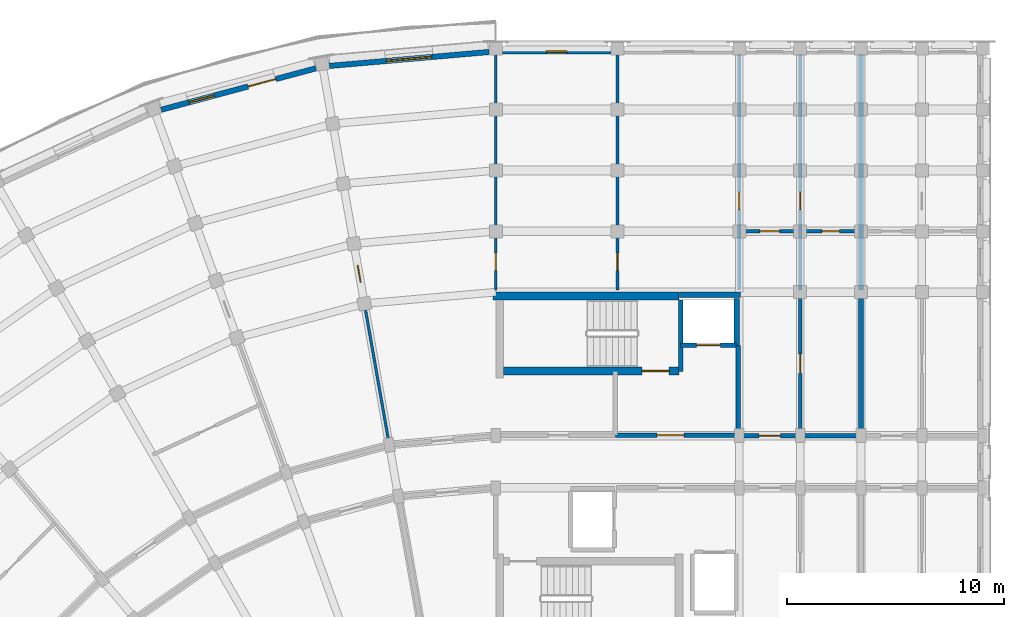
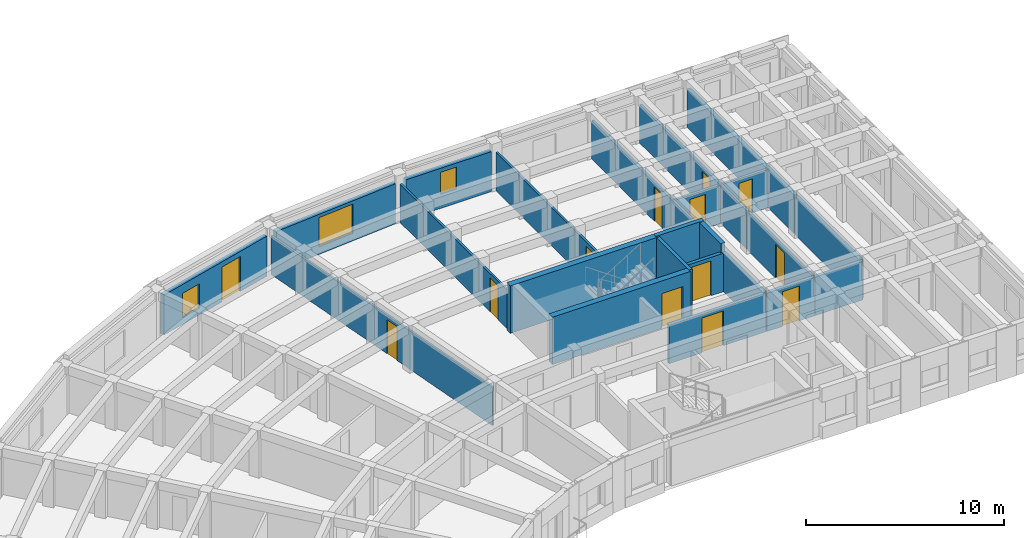
# One storey, part 19 of 41: 23 walls, 13 doors, 3 windows, 16 openings.
"""IFC4 building model written with IfcOpenShell, lengths in metres."""

from ifc_helpers import new_model, si_unit, direction, frame, frame_2d, origin, place, context, subcontext, project, spatial, rectangle, extrude, material, layer, layer_set, type_object, element, fill, save


model = new_model("IFC4")

# Units and contexts
model_context = context("Model", 3, precision=1e-05, world=origin(), true_north=direction((0.0, 1.0)))
body_context = subcontext(model_context, "Body", "Model", "MODEL_VIEW")
ifc_project = project(units=[si_unit("LENGTHUNIT", "METRE"), si_unit("AREAUNIT", "SQUARE_METRE"), si_unit("VOLUMEUNIT", "CUBIC_METRE"), si_unit("PLANEANGLEUNIT", "RADIAN"), si_unit("MASSUNIT", "GRAM", prefix="KILO")], contexts=[model_context])

# Site, building, storey
site_placement = place(None, origin())
site = spatial("IfcSite", under=ifc_project, at=site_placement, CompositionType="ELEMENT")
building_placement = place(site_placement, origin())
building = spatial("IfcBuilding", under=site, at=building_placement, Name="Kiranvali Square Residences", CompositionType="ELEMENT")
storey_placement = place(building_placement, frame((0.0, 0.0, 33.89990234375)))
storey = spatial("IfcBuildingStorey", under=building, at=storey_placement, Name="L10", CompositionType="ELEMENT", Elevation=33.89990234375)

# Wall, opening, door
ifc_material_1 = material(Name="Autoclaved aerated concrete blockwork masonry", Category="masonry")
ifc_layer_1 = layer(ifc_material_1, 0.199951171875)
ifc_layer_set_1 = layer_set([ifc_layer_1], Name="Autoclaved aerated concrete blockwork masonry")
wall_type_1 = type_object("IfcWallType", Name="WL-COR-200", PredefinedType="STANDARD", material=ifc_layer_set_1)
wall_1_placement = place(storey_placement, frame((59.39990234375, 116.0, 0.0), z_axis=(0.0, 0.0, 1.0), x_axis=(1.0, 0.0, 0.0)))
wall_1 = element("IfcWall", 1, at=wall_1_placement, inside=storey, type_object=wall_type_1, Name="L10 architectural wall WL-L10-A-A1CO-0", PredefinedType="STANDARD", context=body_context, shape_type="SweptSolid", body=[
    extrude(rectangle(XDim=2.800048828125, YDim=0.199951171875, at=frame_2d((1.39990234375, 0.0))), origin(), (0.0, 0.0, 1.0), 2.3720703125),
])
opening_1_placement = place(wall_1_placement, frame((0.89990234375, 0.0, 0.0)))
opening_1 = element("IfcOpeningElement", 2, at=opening_1_placement, cuts=wall_1, Name="Opening FD-APT-60", PredefinedType="OPENING", context=body_context, shape_type="SweptSolid", body=[
    extrude(rectangle(XDim=1.0, YDim=2.14990234375, at=frame_2d((0.5, 1.074951171875))), frame((0.0, 0.10986328125, 0.0), z_axis=(0.0, -1.0, 0.0), x_axis=(1.0, 0.0, 0.0)), (0.0, 0.0, 1.0), 0.219970703125),
])
ifc_material_2 = material(Name="Fire-rated acoustic hardwood and mineral-core door assembly", Category="wood")
door_type_1 = type_object("IfcDoorType", Name="DR-APT-1000", OperationType="NOTDEFINED", PredefinedType="DOOR", material=ifc_material_2)
door_1_placement = place(opening_1_placement, frame((1.0, 0.0, 0.0), z_axis=(0.0, 0.0, 1.0), x_axis=(-1.0, 0.0, 0.0)))
door_1 = element("IfcDoor", 3, at=door_1_placement, inside=storey, type_object=door_type_1, Name="L10 door DR-L10-0640 (DR-APT-1000)", OperationType="SINGLE_SWING_RIGHT", OverallHeight=2.14990234375, OverallWidth=1.0, PredefinedType="DOOR", context=body_context, shape_type="SweptSolid", body=[
    extrude(rectangle(XDim=1.0, YDim=2.14990234375, at=frame_2d((0.5, 1.074951171875))), frame((0.0, 0.02490234375, 0.0), z_axis=(0.0, -1.0, 0.0), x_axis=(1.0, 0.0, 0.0)), (0.0, 0.0, 1.0), 0.050048828125),
])
fill(opening_1, door_1)

# Walls
wall_2_placement = place(storey_placement, frame((62.199951171875, 116.0, 0.0), z_axis=(0.0, 0.0, 1.0), x_axis=(1.0, 0.0, 0.0)))
element("IfcWall", 4, at=wall_2_placement, inside=storey, type_object=wall_type_1, Name="L10 architectural wall WL-L10-A-A1CO-1", PredefinedType="STANDARD", context=body_context, shape_type="SweptSolid", body=[
    extrude(rectangle(XDim=2.800048828125, YDim=0.199951171875, at=frame_2d((1.39990234375, 0.0))), origin(), (0.0, 0.0, 1.0), 2.3720703125),
])
ifc_layer_2 = layer(ifc_material_1, 0.219970703125)
ifc_layer_set_2 = layer_set([ifc_layer_2], Name="Autoclaved aerated concrete blockwork masonry")
wall_type_2 = type_object("IfcWallType", Name="WL-DEM-220", PredefinedType="STANDARD", material=ifc_layer_set_2)
wall_3_placement = place(storey_placement, frame((65.0, 116.050048828125, 0.0), z_axis=(0.0, 0.0, 1.0), x_axis=(0.0, 1.0, 0.0)))
element("IfcWall", 5, at=wall_3_placement, inside=storey, type_object=wall_type_2, Name="L10 architectural wall WL-L10-A-A1TO1-2", PredefinedType="STANDARD", context=body_context, shape_type="SweptSolid", body=[
    extrude(rectangle(XDim=6.530029296875, YDim=0.219970703125, at=frame_2d((3.26513671875, 0.0))), origin(), (0.0, 0.0, 1.0), 2.3720703125),
])
wall_4_placement = place(storey_placement, frame((65.0, 122.699951171875, 0.0), z_axis=(0.0, 0.0, 1.0), x_axis=(0.0, 1.0, 0.0)))
element("IfcWall", 6, at=wall_4_placement, inside=storey, type_object=wall_type_2, Name="L10 architectural wall WL-L10-A-A1TO2-2", PredefinedType="STANDARD", context=body_context, shape_type="SweptSolid", body=[
    extrude(rectangle(XDim=10.820068359375, YDim=0.219970703125, at=frame_2d((5.41015625, 0.0))), origin(), (0.0, 0.0, 1.0), 2.3720703125),
])

# Wall, opening, window
ifc_material_3 = material(Name="Breathable lime-rendered clay brick masonry", Category="masonry")
ifc_layer_3 = layer(ifc_material_3, 0.25)
ifc_layer_set_3 = layer_set([ifc_layer_3], Name="Breathable lime-rendered clay brick masonry")
wall_type_3 = type_object("IfcWallType", Name="WL-EXT-250", PredefinedType="STANDARD", material=ifc_layer_set_3)
wall_5_placement = place(storey_placement, frame((47.886474609375, 133.64697265625, 0.0), z_axis=(0.0, 0.0, 1.0), x_axis=(-0.996197565379, -0.087122963287, 0.0)))
wall_5 = element("IfcWall", 7, at=wall_5_placement, inside=storey, type_object=wall_type_3, Name="L10 exterior wall A-L10-CRV-00", PredefinedType="STANDARD", context=body_context, shape_type="SweptSolid", body=[
    extrude(rectangle(XDim=7.3671875, YDim=0.25, at=frame_2d((3.68359375, 0.0))), origin(), (0.0, 0.0, 1.0), 2.47216796875),
])
opening_2_placement = place(wall_5_placement, frame((2.633544921875, 0.0, 0.471923828125)))
opening_2 = element("IfcOpeningElement", 8, at=opening_2_placement, cuts=wall_5, Name="Opening W-03", PredefinedType="OPENING", context=body_context, shape_type="SweptSolid", body=[
    extrude(rectangle(XDim=2.10009765625, YDim=1.800048828125, at=frame_2d((1.050048828125, 0.89990234375))), frame((0.0, 0.135009765625, 0.0), z_axis=(0.0, -1.0, 0.0), x_axis=(1.0, 0.0, 0.0)), (0.0, 0.0, 1.0), 0.27001953125),
])
ifc_material_4 = material(Name="Solar-control low-e double glazing", Category="glass")
window_type_1 = type_object("IfcWindowType", Name="WIN-RES-2100x1800", PartitioningType="TRIPLE_PANEL_VERTICAL", PredefinedType="WINDOW", material=ifc_material_4)
window_1_placement = place(opening_2_placement, origin())
window_1 = element("IfcWindow", 9, at=window_1_placement, inside=storey, type_object=window_type_1, Name="L10 recessed window A-L10-CRV-00", OverallHeight=1.800048828125, OverallWidth=2.10009765625, PartitioningType="TRIPLE_PANEL_VERTICAL", PredefinedType="WINDOW", context=body_context, shape_type="SweptSolid", body=[
    extrude(rectangle(XDim=2.10009765625, YDim=1.800048828125, at=frame_2d((1.050048828125, 0.89990234375))), frame((0.0, 0.030029296875, 0.0), z_axis=(0.0, -1.0, 0.0), x_axis=(1.0, 0.0, 0.0)), (0.0, 0.0, 1.0), 0.06005859375),
])
fill(opening_2, window_1)

# Wall, openings, door, window
wall_6_placement = place(storey_placement, frame((39.929931640625, 132.896240234375, 0.0), z_axis=(0.0, 0.0, 1.0), x_axis=(-0.965925122991, -0.258821669831, 0.0)))
wall_6 = element("IfcWall", 10, at=wall_6_placement, inside=storey, type_object=wall_type_3, Name="L10 exterior wall A-L10-CRV-01", PredefinedType="STANDARD", context=body_context, shape_type="SweptSolid", body=[
    extrude(rectangle(XDim=7.366943359375, YDim=0.25, at=frame_2d((3.68359375, 0.0))), origin(), (0.0, 0.0, 1.0), 2.47216796875),
])
opening_3_placement = place(wall_6_placement, frame((4.83984375, 0.0, 0.422119140625)))
opening_3 = element("IfcOpeningElement", 11, at=opening_3_placement, cuts=wall_6, Name="Opening W-06", PredefinedType="OPENING", context=body_context, shape_type="SweptSolid", body=[
    extrude(rectangle(XDim=1.199951171875, YDim=1.5, at=frame_2d((0.60009765625, 0.75))), frame((0.0, 0.135009765625, 0.0), z_axis=(0.0, -1.0, 0.0), x_axis=(1.0, 0.0, 0.0)), (0.0, 0.0, 1.0), 0.27001953125),
])
opening_4_placement = place(wall_6_placement, frame((1.91845703125, 0.0, 0.0)))
opening_4 = element("IfcOpeningElement", 12, at=opening_4_placement, cuts=wall_6, Name="Opening ED-BAL-3", PredefinedType="OPENING", context=body_context, shape_type="SweptSolid", body=[
    extrude(rectangle(XDim=1.320068359375, YDim=2.14990234375, at=frame_2d((0.66015625, 1.074951171875))), frame((0.0, 0.135009765625, 0.0), z_axis=(0.0, -1.0, 0.0), x_axis=(1.0, 0.0, 0.0)), (0.0, 0.0, 1.0), 0.27001953125),
])
ifc_material_5 = material(Name="Anodised bronze aluminium framing", Category="aluminium")
door_type_2 = type_object("IfcDoorType", Name="DR-BAL-1320", OperationType="NOTDEFINED", PredefinedType="DOOR", material=ifc_material_5)
door_2_placement = place(opening_4_placement, frame((1.320068359375, 0.0, 0.0), z_axis=(0.0, 0.0, 1.0), x_axis=(-1.0, 0.0, 0.0)))
door_2 = element("IfcDoor", 13, at=door_2_placement, inside=storey, type_object=door_type_2, Name="L10 balcony terrace door", OperationType="SINGLE_SWING_RIGHT", OverallHeight=2.14990234375, OverallWidth=1.320068359375, PredefinedType="DOOR", context=body_context, shape_type="SweptSolid", body=[
    extrude(rectangle(XDim=1.320068359375, YDim=2.14990234375, at=frame_2d((0.66015625, 1.074951171875))), frame((0.0, 0.02490234375, 0.0), z_axis=(0.0, -1.0, 0.0), x_axis=(1.0, 0.0, 0.0)), (0.0, 0.0, 1.0), 0.050048828125),
])
fill(opening_4, door_2)
window_type_2 = type_object("IfcWindowType", Name="WIN-RES-1200x1500", PartitioningType="SINGLE_PANEL", PredefinedType="WINDOW", material=ifc_material_4)
window_2_placement = place(opening_3_placement, origin())
window_2 = element("IfcWindow", 14, at=window_2_placement, inside=storey, type_object=window_type_2, Name="L10 recessed window A-L10-CRV-01", OverallHeight=1.5, OverallWidth=1.199951171875, PartitioningType="SINGLE_PANEL", PredefinedType="WINDOW", context=body_context, shape_type="SweptSolid", body=[
    extrude(rectangle(XDim=1.199951171875, YDim=1.5, at=frame_2d((0.60009765625, 0.75))), frame((0.0, 0.030029296875, 0.0), z_axis=(0.0, -1.0, 0.0), x_axis=(1.0, 0.0, 0.0)), (0.0, 0.0, 1.0), 0.06005859375),
])
fill(opening_3, window_2)

# Wall, opening, window
wall_7_placement = place(storey_placement, frame((48.50341796875, 133.675048828125, 0.0), z_axis=(0.0, 0.0, 1.0), x_axis=(1.0, 0.0, 0.0)))
wall_7 = element("IfcWall", 15, at=wall_7_placement, inside=storey, type_object=wall_type_3, Name="L10 exterior wall A-L10-A1O-0", PredefinedType="STANDARD", context=body_context, shape_type="SweptSolid", body=[
    extrude(rectangle(XDim=4.9931640625, YDim=0.25, at=frame_2d((2.49658203125, 0.0))), origin(), (0.0, 0.0, 1.0), 2.47216796875),
])
opening_5_placement = place(wall_7_placement, frame((2.021484375, 0.0, 0.8798828125)))
opening_5 = element("IfcOpeningElement", 16, at=opening_5_placement, cuts=wall_7, Name="Opening W-16", PredefinedType="OPENING", context=body_context, shape_type="SweptSolid", body=[
    extrude(rectangle(XDim=0.949951171875, YDim=1.35009765625, at=frame_2d((0.47509765625, 0.675048828125))), frame((0.0, 0.135009765625, 0.0), z_axis=(0.0, -1.0, 0.0), x_axis=(1.0, 0.0, 0.0)), (0.0, 0.0, 1.0), 0.27001953125),
])
window_type_3 = type_object("IfcWindowType", Name="WIN-RES-950x1350", PartitioningType="SINGLE_PANEL", PredefinedType="WINDOW", material=ifc_material_4)
window_3_placement = place(opening_5_placement, origin())
window_3 = element("IfcWindow", 17, at=window_3_placement, inside=storey, type_object=window_type_3, Name="L10 recessed window A-L10-A1O-0", OverallHeight=1.35009765625, OverallWidth=0.949951171875, PartitioningType="SINGLE_PANEL", PredefinedType="WINDOW", context=body_context, shape_type="SweptSolid", body=[
    extrude(rectangle(XDim=0.949951171875, YDim=1.35009765625, at=frame_2d((0.47509765625, 0.675048828125))), frame((0.0, 0.030029296875, 0.0), z_axis=(0.0, -1.0, 0.0), x_axis=(1.0, 0.0, 0.0)), (0.0, 0.0, 1.0), 0.06005859375),
])
fill(opening_5, window_3)

# Wall, opening, door
ifc_layer_4 = layer(ifc_material_1, 0.199951171875)
ifc_layer_set_4 = layer_set([ifc_layer_4], Name="Autoclaved aerated concrete blockwork masonry")
wall_type_4 = type_object("IfcWallType", Name="WL-FFL-200", PredefinedType="STANDARD", material=ifc_layer_set_4)
wall_8_placement = place(storey_placement, frame((53.699951171875, 116.02001953125, 0.0), z_axis=(0.0, 0.0, 1.0), x_axis=(1.0, 0.0, 0.0)))
wall_8 = element("IfcWall", 18, at=wall_8_placement, inside=storey, type_object=wall_type_4, Name="L10 architectural wall WL-L10-A-FF-COR", PredefinedType="STANDARD", context=body_context, shape_type="SweptSolid", body=[
    extrude(rectangle(XDim=5.650146484375, YDim=0.199951171875, at=frame_2d((2.8251953125, 0.0))), origin(), (0.0, 0.0, 1.0), 2.3720703125),
])
opening_6_placement = place(wall_8_placement, frame((1.922607421875, 0.0, 0.0)))
opening_6 = element("IfcOpeningElement", 19, at=opening_6_placement, cuts=wall_8, Name="Opening FD-ST-120", PredefinedType="OPENING", context=body_context, shape_type="SweptSolid", body=[
    extrude(rectangle(XDim=1.239990234375, YDim=2.14990234375, at=frame_2d((0.6201171875, 1.074951171875))), frame((0.0, 0.10986328125, 0.0), z_axis=(0.0, -1.0, 0.0), x_axis=(1.0, 0.0, 0.0)), (0.0, 0.0, 1.0), 0.219970703125),
])
door_type_3 = type_object("IfcDoorType", Name="DR-FD120-1200", OperationType="NOTDEFINED", PredefinedType="DOOR", material=ifc_material_2)
door_3_placement = place(opening_6_placement, frame((1.239990234375, 0.0, 0.0), z_axis=(0.0, 0.0, 1.0), x_axis=(-1.0, 0.0, 0.0)))
door_3 = element("IfcDoor", 20, at=door_3_placement, inside=storey, type_object=door_type_3, Name="L10 door DR-L10-0626 (DR-FD120-1200)", OperationType="SINGLE_SWING_RIGHT", OverallHeight=2.14990234375, OverallWidth=1.239990234375, PredefinedType="DOOR", context=body_context, shape_type="SweptSolid", body=[
    extrude(rectangle(XDim=1.239990234375, YDim=2.14990234375, at=frame_2d((0.6201171875, 1.074951171875))), frame((0.0, 0.02490234375, 0.0), z_axis=(0.0, -1.0, 0.0), x_axis=(1.0, 0.0, 0.0)), (0.0, 0.0, 1.0), 0.050048828125),
])
fill(opening_6, door_3)

# Wall
wall_9_placement = place(storey_placement, frame((59.35009765625, 116.02001953125, 0.0), z_axis=(0.0, 0.0, 1.0), x_axis=(0.0, 1.0, 0.0)))
element("IfcWall", 21, at=wall_9_placement, inside=storey, type_object=wall_type_4, Name="L10 architectural wall WL-L10-A-FF-END", PredefinedType="STANDARD", context=body_context, shape_type="SweptSolid", body=[
    extrude(rectangle(XDim=4.1298828125, YDim=0.199951171875, at=frame_2d((2.06494140625, 0.0))), origin(), (0.0, 0.0, 1.0), 2.3720703125),
])

# Wall, opening, door
wall_10_placement = place(storey_placement, frame((56.699951171875, 120.14990234375, 0.0), z_axis=(0.0, 0.0, 1.0), x_axis=(1.0, 0.0, 0.0)))
wall_10 = element("IfcWall", 22, at=wall_10_placement, inside=storey, type_object=wall_type_4, Name="L10 architectural wall WL-L10-A-FF-LFT", PredefinedType="STANDARD", context=body_context, shape_type="SweptSolid", body=[
    extrude(rectangle(XDim=2.550048828125, YDim=0.199951171875, at=frame_2d((1.27490234375, 0.0))), origin(), (0.0, 0.0, 1.0), 2.3720703125),
])
opening_7_placement = place(wall_10_placement, frame((0.72509765625, 0.0, 0.0)))
opening_7 = element("IfcOpeningElement", 23, at=opening_7_placement, cuts=wall_10, Name="Opening LD-FF-110", PredefinedType="OPENING", context=body_context, shape_type="SweptSolid", body=[
    extrude(rectangle(XDim=1.10009765625, YDim=2.14990234375, at=frame_2d((0.550048828125, 1.074951171875))), frame((0.0, 0.10986328125, 0.0), z_axis=(0.0, -1.0, 0.0), x_axis=(1.0, 0.0, 0.0)), (0.0, 0.0, 1.0), 0.219970703125),
])
door_type_4 = type_object("IfcDoorType", Name="DR-LIFT-FF-1100", OperationType="SLIDING_TO_LEFT", PredefinedType="DOOR", material=ifc_material_2)
door_4_placement = place(opening_7_placement, origin())
door_4 = element("IfcDoor", 24, at=door_4_placement, inside=storey, type_object=door_type_4, Name="L10 door DR-L10-0628 (DR-LIFT-FF-1100)", OperationType="SLIDING_TO_LEFT", OverallHeight=2.14990234375, OverallWidth=1.10009765625, PredefinedType="DOOR", context=body_context, shape_type="SweptSolid", body=[
    extrude(rectangle(XDim=1.10009765625, YDim=2.14990234375, at=frame_2d((0.550048828125, 1.074951171875))), frame((0.0, 0.02490234375, 0.0), z_axis=(0.0, -1.0, 0.0), x_axis=(1.0, 0.0, 0.0)), (0.0, 0.0, 1.0), 0.050048828125),
])
fill(opening_7, door_4)

ifc_material_6 = material(Name="Acoustic gypsum board drylined partition", Category="gypsum")
ifc_layer_5 = layer(ifc_material_6, 0.125)
ifc_layer_set_5 = layer_set([ifc_layer_5], Name="Acoustic gypsum board drylined partition")
wall_type_5 = type_object("IfcWallType", Name="WL-PRT-125", PredefinedType="PARTITIONING", material=ifc_layer_set_5)
wall_11_placement = place(storey_placement, frame((53.800048828125, 122.699951171875, 0.0), z_axis=(0.0, 0.0, 1.0), x_axis=(0.0, 1.0, 0.0)))
wall_11 = element("IfcWall", 25, at=wall_11_placement, inside=storey, type_object=wall_type_5, Name="L10 architectural wall WL-L10-A-CF-MID", PredefinedType="PARTITIONING", context=body_context, shape_type="SweptSolid", body=[
    extrude(rectangle(XDim=10.820068359375, YDim=0.125, at=frame_2d((5.41015625, 0.0))), origin(), (0.0, 0.0, 1.0), 2.3720703125),
])
opening_8_placement = place(wall_11_placement, frame((0.8994140625, 0.0, 0.0)))
opening_8 = element("IfcOpeningElement", 26, at=opening_8_placement, cuts=wall_11, Name="Opening ID-WET", PredefinedType="OPENING", context=body_context, shape_type="SweptSolid", body=[
    extrude(rectangle(XDim=0.800048828125, YDim=2.10009765625, at=frame_2d((0.39990234375, 1.050048828125))), frame((0.0, 0.072509765625, 0.0), z_axis=(0.0, -1.0, 0.0), x_axis=(1.0, 0.0, 0.0)), (0.0, 0.0, 1.0), 0.14501953125),
])
ifc_material_7 = material(Name="Solid seasoned teak hardwood joinery", Category="wood")
door_type_5 = type_object("IfcDoorType", Name="DR-WET-800", OperationType="NOTDEFINED", PredefinedType="DOOR", material=ifc_material_7)
door_5_placement = place(opening_8_placement, origin())
door_5 = element("IfcDoor", 27, at=door_5_placement, inside=storey, type_object=door_type_5, Name="L10 door DR-L10-0637 (DR-WET-800)", OperationType="SINGLE_SWING_LEFT", OverallHeight=2.10009765625, OverallWidth=0.800048828125, PredefinedType="DOOR", context=body_context, shape_type="SweptSolid", body=[
    extrude(rectangle(XDim=0.800048828125, YDim=2.10009765625, at=frame_2d((0.39990234375, 1.050048828125))), frame((0.0, 0.02490234375, 0.0), z_axis=(0.0, -1.0, 0.0), x_axis=(1.0, 0.0, 0.0)), (0.0, 0.0, 1.0), 0.050048828125),
])
fill(opening_8, door_5)

wall_12_placement = place(storey_placement, frame((48.199951171875, 122.699951171875, 0.0), z_axis=(0.0, 0.0, 1.0), x_axis=(0.0, 1.0, 0.0)))
wall_12 = element("IfcWall", 28, at=wall_12_placement, inside=storey, type_object=wall_type_5, Name="L10 architectural wall WL-L10-A-RADO-0", PredefinedType="PARTITIONING", context=body_context, shape_type="SweptSolid", body=[
    extrude(rectangle(XDim=10.820068359375, YDim=0.125, at=frame_2d((5.41015625, 0.0))), origin(), (0.0, 0.0, 1.0), 2.3720703125),
])
opening_9_placement = place(wall_12_placement, frame((0.8994140625, 0.0, 0.0)))
opening_9 = element("IfcOpeningElement", 29, at=opening_9_placement, cuts=wall_12, Name="Opening ID-WET", PredefinedType="OPENING", context=body_context, shape_type="SweptSolid", body=[
    extrude(rectangle(XDim=0.800048828125, YDim=2.10009765625, at=frame_2d((0.39990234375, 1.050048828125))), frame((0.0, 0.072509765625, 0.0), z_axis=(0.0, -1.0, 0.0), x_axis=(1.0, 0.0, 0.0)), (0.0, 0.0, 1.0), 0.14501953125),
])
door_6_placement = place(opening_9_placement, origin())
door_6 = element("IfcDoor", 30, at=door_6_placement, inside=storey, type_object=door_type_5, Name="L10 door DR-L10-0653 (DR-WET-800)", OperationType="SINGLE_SWING_LEFT", OverallHeight=2.10009765625, OverallWidth=0.800048828125, PredefinedType="DOOR", context=body_context, shape_type="SweptSolid", body=[
    extrude(rectangle(XDim=0.800048828125, YDim=2.10009765625, at=frame_2d((0.39990234375, 1.050048828125))), frame((0.0, 0.02490234375, 0.0), z_axis=(0.0, -1.0, 0.0), x_axis=(1.0, 0.0, 0.0)), (0.0, 0.0, 1.0), 0.050048828125),
])
fill(opening_9, door_6)

wall_13_placement = place(storey_placement, frame((43.28564453125, 115.670166015625, 0.0), z_axis=(0.0, 0.0, 1.0), x_axis=(-0.173646216546, 0.984808098809, 0.0)))
wall_13 = element("IfcWall", 31, at=wall_13_placement, inside=storey, type_object=wall_type_5, Name="L10 architectural wall WL-L10-A-RADO-1", PredefinedType="PARTITIONING", context=body_context, shape_type="SweptSolid", body=[
    extrude(rectangle(XDim=17.419921875, YDim=0.125, at=frame_2d((8.7099609375, 0.0))), origin(), (0.0, 0.0, 1.0), 2.3720703125),
])
opening_10_placement = place(wall_13_placement, frame((7.5, 0.0, 0.0)))
opening_10 = element("IfcOpeningElement", 32, at=opening_10_placement, cuts=wall_13, Name="Opening ID-WET", PredefinedType="OPENING", context=body_context, shape_type="SweptSolid", body=[
    extrude(rectangle(XDim=0.800048828125, YDim=2.10009765625, at=frame_2d((0.39990234375, 1.050048828125))), frame((0.0, 0.072509765625, 0.0), z_axis=(0.0, -1.0, 0.0), x_axis=(1.0, 0.0, 0.0)), (0.0, 0.0, 1.0), 0.14501953125),
])
door_7_placement = place(opening_10_placement, frame((0.800048828125, 0.0, 0.0), z_axis=(0.0, 0.0, 1.0), x_axis=(-1.0, 0.0, 0.0)))
door_7 = element("IfcDoor", 33, at=door_7_placement, inside=storey, type_object=door_type_5, Name="L10 door DR-L10-0654 (DR-WET-800)", OperationType="SINGLE_SWING_RIGHT", OverallHeight=2.10009765625, OverallWidth=0.800048828125, PredefinedType="DOOR", context=body_context, shape_type="SweptSolid", body=[
    extrude(rectangle(XDim=0.800048828125, YDim=2.10009765625, at=frame_2d((0.39990234375, 1.050048828125))), frame((0.0, 0.02490234375, 0.0), z_axis=(0.0, -1.0, 0.0), x_axis=(1.0, 0.0, 0.0)), (0.0, 0.0, 1.0), 0.050048828125),
])
fill(opening_10, door_7)

ifc_layer_6 = layer(ifc_material_6, 0.14990234375)
ifc_layer_set_6 = layer_set([ifc_layer_6], Name="Acoustic gypsum board drylined partition")
wall_type_6 = type_object("IfcWallType", Name="WL-PRT-150", PredefinedType="PARTITIONING", material=ifc_layer_set_6)
wall_14_placement = place(storey_placement, frame((59.39990234375, 122.699951171875, 0.0), z_axis=(0.0, 0.0, 1.0), x_axis=(0.0, 1.0, 0.0)))
wall_14 = element("IfcWall", 34, at=wall_14_placement, inside=storey, type_object=wall_type_6, Name="L10 architectural wall WL-L10-A-A1TO2-0", PredefinedType="PARTITIONING", context=body_context, shape_type="SweptSolid", body=[
    extrude(rectangle(XDim=10.820068359375, YDim=0.14990234375, at=frame_2d((5.41015625, 0.0))), origin(), (0.0, 0.0, 1.0), 2.3720703125),
])
opening_11_placement = place(wall_14_placement, frame((3.69970703125, 0.0, 0.0)))
opening_11 = element("IfcOpeningElement", 35, at=opening_11_placement, cuts=wall_14, Name="Opening ID-WET", PredefinedType="OPENING", context=body_context, shape_type="SweptSolid", body=[
    extrude(rectangle(XDim=0.800048828125, YDim=2.10009765625, at=frame_2d((0.39990234375, 1.050048828125))), frame((0.0, 0.0849609375, 0.0), z_axis=(0.0, -1.0, 0.0), x_axis=(1.0, 0.0, 0.0)), (0.0, 0.0, 1.0), 0.169921875),
])
door_8_placement = place(opening_11_placement, frame((0.800048828125, 0.0, 0.0), z_axis=(0.0, 0.0, 1.0), x_axis=(-1.0, 0.0, 0.0)))
door_8 = element("IfcDoor", 36, at=door_8_placement, inside=storey, type_object=door_type_5, Name="L10 door DR-L10-0646 (DR-WET-800)", OperationType="SINGLE_SWING_RIGHT", OverallHeight=2.10009765625, OverallWidth=0.800048828125, PredefinedType="DOOR", context=body_context, shape_type="SweptSolid", body=[
    extrude(rectangle(XDim=0.800048828125, YDim=2.10009765625, at=frame_2d((0.39990234375, 1.050048828125))), frame((0.0, 0.02490234375, 0.0), z_axis=(0.0, -1.0, 0.0), x_axis=(1.0, 0.0, 0.0)), (0.0, 0.0, 1.0), 0.050048828125),
])
fill(opening_11, door_8)

wall_15_placement = place(storey_placement, frame((62.199951171875, 116.050048828125, 0.0), z_axis=(0.0, 0.0, 1.0), x_axis=(0.0, 1.0, 0.0)))
wall_15 = element("IfcWall", 37, at=wall_15_placement, inside=storey, type_object=wall_type_6, Name="L10 architectural wall WL-L10-A-A1TO1-1", PredefinedType="PARTITIONING", context=body_context, shape_type="SweptSolid", body=[
    extrude(rectangle(XDim=6.530029296875, YDim=0.14990234375, at=frame_2d((3.26513671875, 0.0))), origin(), (0.0, 0.0, 1.0), 2.3720703125),
])
opening_12_placement = place(wall_15_placement, frame((2.81494140625, 0.0, 0.0)))
opening_12 = element("IfcOpeningElement", 38, at=opening_12_placement, cuts=wall_15, Name="Opening ID-1", PredefinedType="OPENING", context=body_context, shape_type="SweptSolid", body=[
    extrude(rectangle(XDim=0.89990234375, YDim=2.10009765625, at=frame_2d((0.449951171875, 1.050048828125))), frame((0.0, 0.0849609375, 0.0), z_axis=(0.0, -1.0, 0.0), x_axis=(1.0, 0.0, 0.0)), (0.0, 0.0, 1.0), 0.169921875),
])
door_type_6 = type_object("IfcDoorType", Name="DR-INT-900", OperationType="NOTDEFINED", PredefinedType="DOOR", material=ifc_material_7)
door_9_placement = place(opening_12_placement, frame((0.89990234375, 0.0, 0.0), z_axis=(0.0, 0.0, 1.0), x_axis=(-1.0, 0.0, 0.0)))
door_9 = element("IfcDoor", 39, at=door_9_placement, inside=storey, type_object=door_type_6, Name="L10 door DR-L10-0648 (DR-INT-900)", OperationType="SINGLE_SWING_RIGHT", OverallHeight=2.10009765625, OverallWidth=0.89990234375, PredefinedType="DOOR", context=body_context, shape_type="SweptSolid", body=[
    extrude(rectangle(XDim=0.89990234375, YDim=2.10009765625, at=frame_2d((0.449951171875, 1.050048828125))), frame((0.0, 0.02490234375, 0.0), z_axis=(0.0, -1.0, 0.0), x_axis=(1.0, 0.0, 0.0)), (0.0, 0.0, 1.0), 0.050048828125),
])
fill(opening_12, door_9)

wall_16_placement = place(storey_placement, frame((62.199951171875, 122.699951171875, 0.0), z_axis=(0.0, 0.0, 1.0), x_axis=(0.0, 1.0, 0.0)))
wall_16 = element("IfcWall", 40, at=wall_16_placement, inside=storey, type_object=wall_type_6, Name="L10 architectural wall WL-L10-A-A1TO2-1", PredefinedType="PARTITIONING", context=body_context, shape_type="SweptSolid", body=[
    extrude(rectangle(XDim=10.820068359375, YDim=0.14990234375, at=frame_2d((5.41015625, 0.0))), origin(), (0.0, 0.0, 1.0), 2.3720703125),
])
opening_13_placement = place(wall_16_placement, frame((3.69970703125, 0.0, 0.0)))
opening_13 = element("IfcOpeningElement", 41, at=opening_13_placement, cuts=wall_16, Name="Opening ID-WET", PredefinedType="OPENING", context=body_context, shape_type="SweptSolid", body=[
    extrude(rectangle(XDim=0.800048828125, YDim=2.10009765625, at=frame_2d((0.39990234375, 1.050048828125))), frame((0.0, 0.0849609375, 0.0), z_axis=(0.0, -1.0, 0.0), x_axis=(1.0, 0.0, 0.0)), (0.0, 0.0, 1.0), 0.169921875),
])
door_10_placement = place(opening_13_placement, origin())
door_10 = element("IfcDoor", 42, at=door_10_placement, inside=storey, type_object=door_type_5, Name="L10 door DR-L10-0649 (DR-WET-800)", OperationType="SINGLE_SWING_LEFT", OverallHeight=2.10009765625, OverallWidth=0.800048828125, PredefinedType="DOOR", context=body_context, shape_type="SweptSolid", body=[
    extrude(rectangle(XDim=0.800048828125, YDim=2.10009765625, at=frame_2d((0.39990234375, 1.050048828125))), frame((0.0, 0.02490234375, 0.0), z_axis=(0.0, -1.0, 0.0), x_axis=(1.0, 0.0, 0.0)), (0.0, 0.0, 1.0), 0.050048828125),
])
fill(opening_13, door_10)

# Walls
ifc_layer_7 = layer(ifc_material_1, 0.199951171875)
ifc_layer_set_7 = layer_set([ifc_layer_7], Name="Autoclaved aerated concrete blockwork masonry")
wall_type_7 = type_object("IfcWallType", Name="WL-SHF-200", PredefinedType="STANDARD", material=ifc_layer_set_7)
wall_17_placement = place(storey_placement, frame((56.699951171875, 118.949951171875, 0.0), z_axis=(0.0, 0.0, 1.0), x_axis=(0.0, 1.0, 0.0)))
element("IfcWall", 43, at=wall_17_placement, inside=storey, type_object=wall_type_7, Name="L10 architectural wall WL-L10-A-FF-SHF", PredefinedType="STANDARD", context=body_context, shape_type="SweptSolid", body=[
    extrude(rectangle(XDim=3.300048828125, YDim=0.199951171875, at=frame_2d((1.64990234375, 0.0))), origin(), (0.0, 0.0, 1.0), 2.93017578125),
])
ifc_material_8 = material(Name="Concrete M45 (45 MPa)", Category="concrete")
ifc_layer_8 = layer(ifc_material_8, 0.25)
ifc_layer_set_8 = layer_set([ifc_layer_8], Name="Concrete M45 (45 MPa)")
wall_type_8 = type_object("IfcWallType", Name="WL-SHR-250", PredefinedType="SHEAR", material=ifc_layer_set_8)
wall_18_placement = place(storey_placement, frame((56.64990234375, 122.47509765625, 0.0), z_axis=(0.0, 0.0, 1.0), x_axis=(1.0, 0.0, 0.0)))
element("IfcWall", 44, at=wall_18_placement, inside=storey, type_object=wall_type_8, Name="Block A core shear wall SW-AFF-BK-L10", PredefinedType="SHEAR", context=body_context, shape_type="SweptSolid", body=[
    extrude(rectangle(XDim=2.800048828125, YDim=0.25, at=frame_2d((1.39990234375, 0.0))), origin(), (0.0, 0.0, 1.0), 2.93017578125),
])
wall_19_placement = place(storey_placement, frame((59.27490234375, 120.14990234375, 0.0), z_axis=(0.0, 0.0, 1.0), x_axis=(0.0, 1.0, 0.0)))
element("IfcWall", 45, at=wall_19_placement, inside=storey, type_object=wall_type_8, Name="Block A core shear wall SW-AFF-SD-L10", PredefinedType="SHEAR", context=body_context, shape_type="SweptSolid", body=[
    extrude(rectangle(XDim=2.150146484375, YDim=0.25, at=frame_2d((1.0751953125, 0.0))), origin(), (0.0, 0.0, 1.0), 2.93017578125),
])
ifc_layer_9 = layer(ifc_material_8, 0.320068359375)
ifc_layer_set_9 = layer_set([ifc_layer_9], Name="Concrete M45 (45 MPa)")
wall_type_9 = type_object("IfcWallType", Name="WL-SHR-320", PredefinedType="SHEAR", material=ifc_layer_set_9)
wall_20_placement = place(storey_placement, frame((48.080078125, 122.425048828125, 0.0), z_axis=(0.0, 0.0, 1.0), x_axis=(1.0, 0.0, 0.0)))
element("IfcWall", 46, at=wall_20_placement, inside=storey, type_object=wall_type_9, Name="Block A core shear wall SW-A1-OUT-L10", PredefinedType="SHEAR", context=body_context, shape_type="SweptSolid", body=[
    extrude(rectangle(XDim=8.544921875, YDim=0.35009765625, at=frame_2d((4.2724609375, 0.0))), origin(), (0.0, 0.0, 1.0), 2.93017578125),
])

# Wall, opening, door
wall_21_placement = place(storey_placement, frame((48.550048828125, 118.97509765625, 0.0), z_axis=(0.0, 0.0, 1.0), x_axis=(1.0, 0.0, 0.0)))
wall_21 = element("IfcWall", 47, at=wall_21_placement, inside=storey, type_object=wall_type_9, Name="Block A core shear wall SW-A1-IN-L10", PredefinedType="SHEAR", context=body_context, shape_type="SweptSolid", body=[
    extrude(rectangle(XDim=8.074951171875, YDim=0.35009765625, at=frame_2d((4.03759765625, 0.0))), origin(), (0.0, 0.0, 1.0), 2.93017578125),
])
opening_14_placement = place(wall_21_placement, frame((6.3798828125, 0.0, 0.0)))
opening_14 = element("IfcOpeningElement", 48, at=opening_14_placement, cuts=wall_21, Name="Opening FD-ST-120", PredefinedType="OPENING", context=body_context, shape_type="SweptSolid", body=[
    extrude(rectangle(XDim=1.239990234375, YDim=2.14990234375, at=frame_2d((0.6201171875, 1.074951171875))), frame((0.0, 0.18505859375, 0.0), z_axis=(0.0, -1.0, 0.0), x_axis=(1.0, 0.0, 0.0)), (0.0, 0.0, 1.0), 0.3701171875),
])
door_11_placement = place(opening_14_placement, origin())
door_11 = element("IfcDoor", 49, at=door_11_placement, inside=storey, type_object=door_type_3, Name="L10 door DR-L10-0629 (DR-FD120-1200)", OperationType="SINGLE_SWING_LEFT", OverallHeight=2.14990234375, OverallWidth=1.239990234375, PredefinedType="DOOR", context=body_context, shape_type="SweptSolid", body=[
    extrude(rectangle(XDim=1.239990234375, YDim=2.14990234375, at=frame_2d((0.6201171875, 1.074951171875))), frame((0.0, 0.02490234375, 0.0), z_axis=(0.0, -1.0, 0.0), x_axis=(1.0, 0.0, 0.0)), (0.0, 0.0, 1.0), 0.050048828125),
])
fill(opening_14, door_11)

ifc_layer_10 = layer(ifc_material_1, 0.14990234375)
ifc_layer_set_10 = layer_set([ifc_layer_10], Name="Autoclaved aerated concrete blockwork masonry")
wall_type_10 = type_object("IfcWallType", Name="WL-WET-150", PredefinedType="PLUMBINGWALL", material=ifc_layer_set_10)
wall_22_placement = place(storey_placement, frame((59.47998046875, 125.39990234375, 0.0), z_axis=(0.0, 0.0, 1.0), x_axis=(1.0, 0.0, 0.0)))
wall_22 = element("IfcWall", 50, at=wall_22_placement, inside=storey, type_object=wall_type_10, Name="L10 architectural wall WL-L10-A-A1SP-0", PredefinedType="PLUMBINGWALL", context=body_context, shape_type="SweptSolid", body=[
    extrude(rectangle(XDim=2.64013671875, YDim=0.14990234375, at=frame_2d((1.320068359375, 0.0))), origin(), (0.0, 0.0, 1.0), 2.3720703125),
])
opening_15_placement = place(wall_22_placement, frame((0.8701171875, 0.0, 0.0)))
opening_15 = element("IfcOpeningElement", 51, at=opening_15_placement, cuts=wall_22, Name="Opening ID-1", PredefinedType="OPENING", context=body_context, shape_type="SweptSolid", body=[
    extrude(rectangle(XDim=0.89990234375, YDim=2.10009765625, at=frame_2d((0.449951171875, 1.050048828125))), frame((0.0, 0.0849609375, 0.0), z_axis=(0.0, -1.0, 0.0), x_axis=(1.0, 0.0, 0.0)), (0.0, 0.0, 1.0), 0.169921875),
])
door_12_placement = place(opening_15_placement, origin())
door_12 = element("IfcDoor", 52, at=door_12_placement, inside=storey, type_object=door_type_6, Name="L10 door DR-L10-0639 (DR-INT-900)", OperationType="SINGLE_SWING_LEFT", OverallHeight=2.10009765625, OverallWidth=0.89990234375, PredefinedType="DOOR", context=body_context, shape_type="SweptSolid", body=[
    extrude(rectangle(XDim=0.89990234375, YDim=2.10009765625, at=frame_2d((0.449951171875, 1.050048828125))), frame((0.0, 0.02490234375, 0.0), z_axis=(0.0, -1.0, 0.0), x_axis=(1.0, 0.0, 0.0)), (0.0, 0.0, 1.0), 0.050048828125),
])
fill(opening_15, door_12)

wall_23_placement = place(storey_placement, frame((62.280029296875, 125.39990234375, 0.0), z_axis=(0.0, 0.0, 1.0), x_axis=(1.0, 0.0, 0.0)))
wall_23 = element("IfcWall", 53, at=wall_23_placement, inside=storey, type_object=wall_type_10, Name="L10 architectural wall WL-L10-A-A1SP-1", PredefinedType="PLUMBINGWALL", context=body_context, shape_type="SweptSolid", body=[
    extrude(rectangle(XDim=2.639892578125, YDim=0.14990234375, at=frame_2d((1.31982421875, 0.0))), origin(), (0.0, 0.0, 1.0), 2.3720703125),
])
opening_16_placement = place(wall_23_placement, frame((0.919921875, 0.0, 0.0)))
opening_16 = element("IfcOpeningElement", 54, at=opening_16_placement, cuts=wall_23, Name="Opening ID-WET", PredefinedType="OPENING", context=body_context, shape_type="SweptSolid", body=[
    extrude(rectangle(XDim=0.800048828125, YDim=2.10009765625, at=frame_2d((0.39990234375, 1.050048828125))), frame((0.0, 0.0849609375, 0.0), z_axis=(0.0, -1.0, 0.0), x_axis=(1.0, 0.0, 0.0)), (0.0, 0.0, 1.0), 0.169921875),
])
door_13_placement = place(opening_16_placement, origin())
door_13 = element("IfcDoor", 55, at=door_13_placement, inside=storey, type_object=door_type_5, Name="L10 door DR-L10-0641 (DR-WET-800)", OperationType="SINGLE_SWING_LEFT", OverallHeight=2.10009765625, OverallWidth=0.800048828125, PredefinedType="DOOR", context=body_context, shape_type="SweptSolid", body=[
    extrude(rectangle(XDim=0.800048828125, YDim=2.10009765625, at=frame_2d((0.39990234375, 1.050048828125))), frame((0.0, 0.02490234375, 0.0), z_axis=(0.0, -1.0, 0.0), x_axis=(1.0, 0.0, 0.0)), (0.0, 0.0, 1.0), 0.050048828125),
])
fill(opening_16, door_13)

save(model, "model.ifc")
